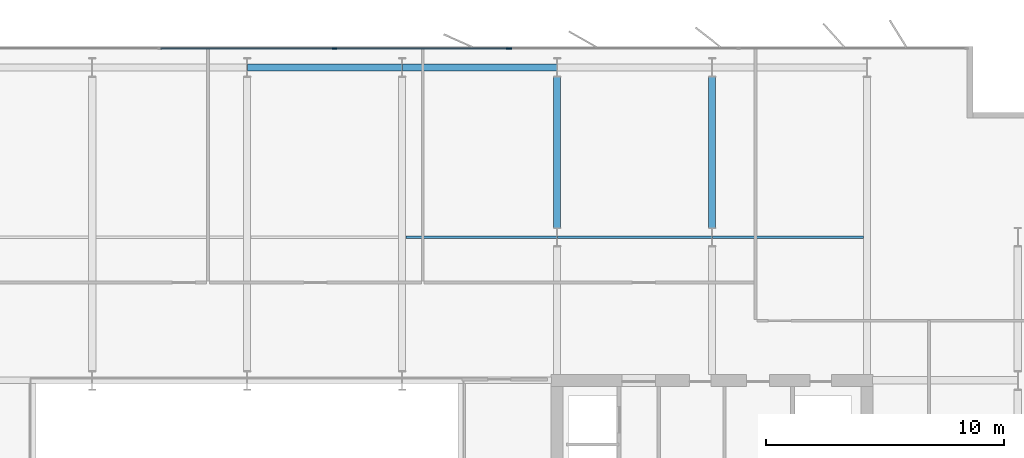
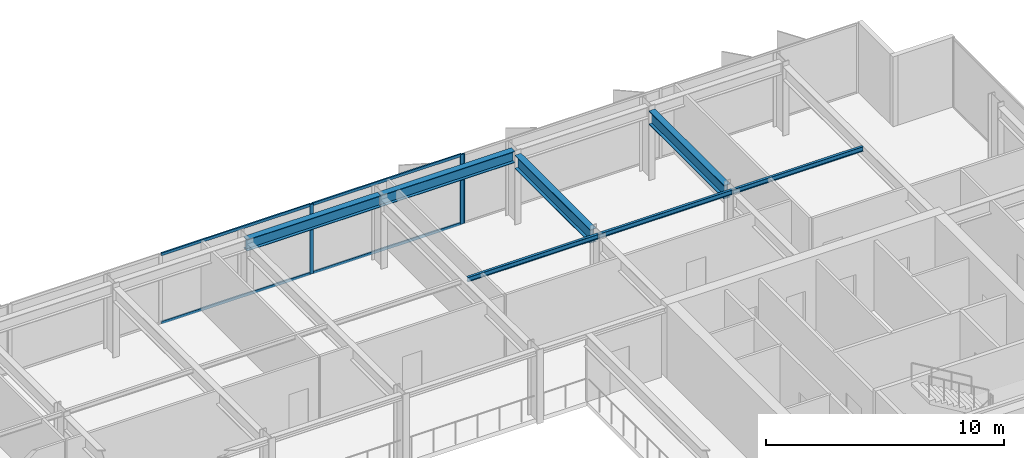
# One storey, part 12 of 24: 7 beams, 7 members, 2 elements without a shape of their own.
"""IFC4 building model written with IfcOpenShell, lengths in metres."""

from ifc_helpers import new_model, si_unit, direction, frame, origin, origin_2d, place, context, subcontext, project, spatial, rectangle, i_section, extrude, material, layer, layer_set, material_profile, profile_set, type_object, element, aggregate, save


model = new_model("IFC4")

# Units and contexts
model_context = context("Model", 3, precision=1e-05, world=origin(), true_north=direction((0.0, 1.0)))
body_context = subcontext(model_context, "Body", "Model", "MODEL_VIEW")
ifc_project = project(units=[si_unit("LENGTHUNIT", "METRE"), si_unit("AREAUNIT", "SQUARE_METRE"), si_unit("VOLUMEUNIT", "CUBIC_METRE"), si_unit("PLANEANGLEUNIT", "RADIAN"), si_unit("MASSUNIT", "GRAM", prefix="KILO")], contexts=[model_context])

# Site, building, storey
site_placement = place(None, origin())
site = spatial("IfcSite", under=ifc_project, at=site_placement, CompositionType="ELEMENT")
building_placement = place(site_placement, origin())
building = spatial("IfcBuilding", under=site, at=building_placement, Name="Putna Gate Headquarters", CompositionType="ELEMENT")
storey_placement = place(building_placement, frame((0.0, 0.0, 236.60009765625)))
storey = spatial("IfcBuildingStorey", under=building, at=storey_placement, Name="L59", CompositionType="ELEMENT", Elevation=236.60009765625)

# Beams
ifc_material_1 = material(Name="Steel S355J2", Category="steel")
ifc_material_profile_1 = material_profile(ifc_material_1, i_section(OverallWidth=0.300048828125, OverallDepth=0.699951171875, WebThickness=0.01708984375, FlangeThickness=0.031982421875, at=origin_2d()), Name="Steel S355J2")
ifc_profile_set_1 = profile_set([ifc_material_profile_1], Name="Steel S355J2")
beam_type_1 = type_object("IfcBeamType", Name="BM-GIRD-B-HEB700", PredefinedType="USERDEFINED", material=ifc_profile_set_1)
for number, where, z_axis, x_axis, name in (
    (1, (52.0, 39.39501953125, 3.22998046875), (0.0, 1.0, 0.0), (-1.0, 0.0, 0.0), "L59 North Primary Girder X52-2"),
    (2, (58.5, 39.39501953125, 3.22998046875), (0.0, 1.0, 0.0), (-1.0, 0.0, 0.0), "L59 North Primary Girder X58-2"),
):
    element("IfcBeam", number, at=place(storey_placement, frame(where, z_axis=z_axis, x_axis=x_axis)), inside=storey, type_object=beam_type_1, Name=name, ObjectType="GIRDER", PredefinedType="USERDEFINED", context=body_context, shape_type="SweptSolid", body=[
        extrude(i_section(OverallWidth=0.300048828125, OverallDepth=0.699951171875, WebThickness=0.01708984375, FlangeThickness=0.031982421875, at=origin_2d()), origin(), (0.0, 0.0, 1.0), 6.330078125),
    ])
ifc_material_profile_2 = material_profile(ifc_material_1, i_section(OverallWidth=0.1201171875, OverallDepth=0.239990234375, WebThickness=0.006103515625, FlangeThickness=0.009765625, at=origin_2d()), Name="Steel S355J2")
ifc_profile_set_2 = profile_set([ifc_material_profile_2], Name="Steel S355J2")
beam_type_2 = type_object("IfcBeamType", Name="BM-SEC-Z4-IPE240", PredefinedType="JOIST", material=ifc_profile_set_2)
beam_1_placement = place(storey_placement, frame((45.654052734375, 39.0, 3.4599609375), z_axis=(1.0, 0.0, 0.0), x_axis=(0.0, 1.0, 0.0)))
element("IfcBeam", 3, at=beam_1_placement, inside=storey, type_object=beam_type_2, Name="L59 North Secondary Beam 6", PredefinedType="JOIST", context=body_context, shape_type="SweptSolid", body=[
    extrude(i_section(OverallWidth=0.1201171875, OverallDepth=0.239990234375, WebThickness=0.006103515625, FlangeThickness=0.009765625, at=origin_2d()), origin(), (0.0, 0.0, 1.0), 6.33984375),
])
beam_2_placement = place(storey_placement, frame((52.006103515625, 39.0, 3.4599609375), z_axis=(1.0, 0.0, 0.0), x_axis=(0.0, 1.0, 0.0)))
element("IfcBeam", 4, at=beam_2_placement, inside=storey, type_object=beam_type_2, Name="L59 North Secondary Beam 7", PredefinedType="JOIST", context=body_context, shape_type="SweptSolid", body=[
    extrude(i_section(OverallWidth=0.1201171875, OverallDepth=0.239990234375, WebThickness=0.006103515625, FlangeThickness=0.009765625, at=origin_2d()), origin(), (0.0, 0.0, 1.0), 6.48779296875),
])
beam_3_placement = place(storey_placement, frame((58.506103515625, 39.0, 3.4599609375), z_axis=(1.0, 0.0, 0.0), x_axis=(0.0, 1.0, 0.0)))
element("IfcBeam", 5, at=beam_3_placement, inside=storey, type_object=beam_type_2, Name="L59 North Secondary Beam 8", PredefinedType="JOIST", context=body_context, shape_type="SweptSolid", body=[
    extrude(i_section(OverallWidth=0.1201171875, OverallDepth=0.239990234375, WebThickness=0.006103515625, FlangeThickness=0.009765625, at=origin_2d()), origin(), (0.0, 0.0, 1.0), 6.33984375),
])
ifc_material_profile_3 = material_profile(ifc_material_1, i_section(OverallWidth=0.300048828125, OverallDepth=0.590087890625, WebThickness=0.012939453125, FlangeThickness=0.02490234375, at=origin_2d()), Name="Steel S355J2")
ifc_profile_set_3 = profile_set([ifc_material_profile_3], Name="Steel S355J2")
beam_type_3 = type_object("IfcBeamType", Name="BM-SPAN-Z4-HEA600", PredefinedType="SPANDREL", material=ifc_profile_set_3)
for number, where, z_axis, x_axis, name in (
    (6, (39.006103515625, 46.1201171875, 3.284912109375), (1.0, 0.0, 0.0), (0.0, 1.0, 0.0), "L59 N Perimeter Spandrel 5"),
    (7, (45.506103515625, 46.1201171875, 3.284912109375), (1.0, 0.0, 0.0), (0.0, 1.0, 0.0), "L59 N Perimeter Spandrel 6"),
):
    element("IfcBeam", number, at=place(storey_placement, frame(where, z_axis=z_axis, x_axis=x_axis)), inside=storey, type_object=beam_type_3, Name=name, PredefinedType="SPANDREL", context=body_context, shape_type="SweptSolid", body=[
        extrude(i_section(OverallWidth=0.300048828125, OverallDepth=0.590087890625, WebThickness=0.012939453125, FlangeThickness=0.02490234375, at=origin_2d()), origin(), (0.0, 0.0, 1.0), 6.48779296875),
    ])

# Curtain wall, member
ifc_material_2 = material(Name="Anodised bronze aluminium curtain wall", Category="aluminium")
ifc_layer_1 = layer(ifc_material_2, 0.139892578125)
ifc_layer_set_1 = layer_set([ifc_layer_1], Name="Anodised bronze aluminium curtain wall")
curtain_wall_type_1 = type_object("IfcCurtainWallType", Name="CW-SYS-Z4", PredefinedType="USERDEFINED", material=ifc_layer_set_1)
curtain_wall_1_placement = place(storey_placement, origin())
curtain_wall_1 = element("IfcCurtainWall", 8, at=curtain_wall_1_placement, inside=storey, type_object=curtain_wall_type_1, Name="L59 North East Curtain Wall", ObjectType="STICK CURTAIN WALL", PredefinedType="USERDEFINED")
ifc_material_3 = material(Name="Anodised bronze aluminium EN AW-6060", Category="aluminium")
ifc_material_profile_4 = material_profile(ifc_material_3, rectangle(XDim=0.06005859375, YDim=0.139892578125, at=origin_2d()), Name="Anodised bronze aluminium EN AW-6060")
ifc_profile_set_4 = profile_set([ifc_material_profile_4], Name="Anodised bronze aluminium EN AW-6060")
member_type_1 = type_object("IfcMemberType", Name="MULL-CWM-4", PredefinedType="MULLION", material=ifc_profile_set_4)
member_1_placement = place(storey_placement, frame((50.030029296875, 46.919921875, 0.0), z_axis=(0.0, 0.0, 1.0), x_axis=(0.0, 1.0, 0.0)))
member_1 = element("IfcMember", 9, at=member_1_placement, type_object=member_type_1, Name="CWS-4 mullion 1", PredefinedType="MULLION", context=body_context, shape_type="SweptSolid", body=[
    extrude(rectangle(XDim=0.06005859375, YDim=0.139892578125, at=origin_2d()), origin(), (0.0, 0.0, 1.0), 3.579833984375),
])
aggregate(curtain_wall_1, [member_1])

# Curtain wall, members
ifc_layer_2 = layer(ifc_material_2, 0.179931640625)
ifc_layer_set_2 = layer_set([ifc_layer_2], Name="Anodised bronze aluminium curtain wall")
curtain_wall_type_2 = type_object("IfcCurtainWallType", Name="CW-SYS-ATR", PredefinedType="USERDEFINED", material=ifc_layer_set_2)
curtain_wall_2_placement = place(storey_placement, origin())
curtain_wall_2 = element("IfcCurtainWall", 10, at=curtain_wall_2_placement, inside=storey, type_object=curtain_wall_type_2, Name="L59 North Atrium Clear Glazing", ObjectType="ATRIUM GLAZING", PredefinedType="USERDEFINED")
ifc_material_profile_5 = material_profile(ifc_material_3, rectangle(XDim=0.070068359375, YDim=0.179931640625, at=origin_2d()), Name="Anodised bronze aluminium EN AW-6060")
ifc_profile_set_5 = profile_set([ifc_material_profile_5], Name="Anodised bronze aluminium EN AW-6060")
member_type_2 = type_object("IfcMemberType", Name="MULL-CWM-AT", PredefinedType="MULLION", material=ifc_profile_set_5)
member_2_placement = place(storey_placement, frame((42.666748046875, 46.919921875, 0.0), z_axis=(0.0, 0.0, 1.0), x_axis=(0.0, 1.0, 0.0)))
member_2 = element("IfcMember", 11, at=member_2_placement, type_object=member_type_2, Name="CWS-AT mullion 3", PredefinedType="MULLION", context=body_context, shape_type="SweptSolid", body=[
    extrude(rectangle(XDim=0.070068359375, YDim=0.179931640625, at=origin_2d()), origin(), (0.0, 0.0, 1.0), 3.579833984375),
])
member_3_placement = place(storey_placement, frame((49.965087890625, 46.919921875, 0.0), z_axis=(0.0, 0.0, 1.0), x_axis=(0.0, 1.0, 0.0)))
member_3 = element("IfcMember", 12, at=member_3_placement, type_object=member_type_2, Name="CWS-AT mullion 4", PredefinedType="MULLION", context=body_context, shape_type="SweptSolid", body=[
    extrude(rectangle(XDim=0.070068359375, YDim=0.179931640625, at=origin_2d()), origin(), (0.0, 0.0, 1.0), 3.579833984375),
])
ifc_material_profile_6 = material_profile(ifc_material_3, rectangle(XDim=0.070068359375, YDim=0.139892578125, at=origin_2d()), Name="Anodised bronze aluminium EN AW-6060")
ifc_profile_set_6 = profile_set([ifc_material_profile_6], Name="Anodised bronze aluminium EN AW-6060")
member_type_3 = type_object("IfcMemberType", Name="TRAN-CWT-AT", PredefinedType="USERDEFINED", material=ifc_profile_set_6)
member_4_placement = place(storey_placement, frame((35.368408203125, 46.919921875, 0.034912109375), z_axis=(1.0, 0.0, 0.0), x_axis=(0.0, 1.0, 0.0)))
member_4 = element("IfcMember", 13, at=member_4_placement, type_object=member_type_3, Name="CWS-AT transom 2.1", ObjectType="TRANSOM", PredefinedType="USERDEFINED", context=body_context, shape_type="SweptSolid", body=[
    extrude(rectangle(XDim=0.070068359375, YDim=0.139892578125, at=origin_2d()), origin(), (0.0, 0.0, 1.0), 7.26318359375),
])
member_5_placement = place(storey_placement, frame((35.368408203125, 46.919921875, 3.544921875), z_axis=(1.0, 0.0, 0.0), x_axis=(0.0, 1.0, 0.0)))
member_5 = element("IfcMember", 14, at=member_5_placement, type_object=member_type_3, Name="CWS-AT transom 2.2", ObjectType="TRANSOM", PredefinedType="USERDEFINED", context=body_context, shape_type="SweptSolid", body=[
    extrude(rectangle(XDim=0.070068359375, YDim=0.139892578125, at=origin_2d()), origin(), (0.0, 0.0, 1.0), 7.26318359375),
])
member_6_placement = place(storey_placement, frame((42.70166015625, 46.919921875, 0.034912109375), z_axis=(1.0, 0.0, 0.0), x_axis=(0.0, 1.0, 0.0)))
member_6 = element("IfcMember", 15, at=member_6_placement, type_object=member_type_3, Name="CWS-AT transom 3.1", ObjectType="TRANSOM", PredefinedType="USERDEFINED", context=body_context, shape_type="SweptSolid", body=[
    extrude(rectangle(XDim=0.070068359375, YDim=0.139892578125, at=origin_2d()), origin(), (0.0, 0.0, 1.0), 7.228271484375),
])
member_7_placement = place(storey_placement, frame((42.70166015625, 46.919921875, 3.544921875), z_axis=(1.0, 0.0, 0.0), x_axis=(0.0, 1.0, 0.0)))
member_7 = element("IfcMember", 16, at=member_7_placement, type_object=member_type_3, Name="CWS-AT transom 3.2", ObjectType="TRANSOM", PredefinedType="USERDEFINED", context=body_context, shape_type="SweptSolid", body=[
    extrude(rectangle(XDim=0.070068359375, YDim=0.139892578125, at=origin_2d()), origin(), (0.0, 0.0, 1.0), 7.228271484375),
])
aggregate(curtain_wall_2, [member_2, member_3, member_4, member_5, member_6, member_7])

save(model, "model.ifc")
